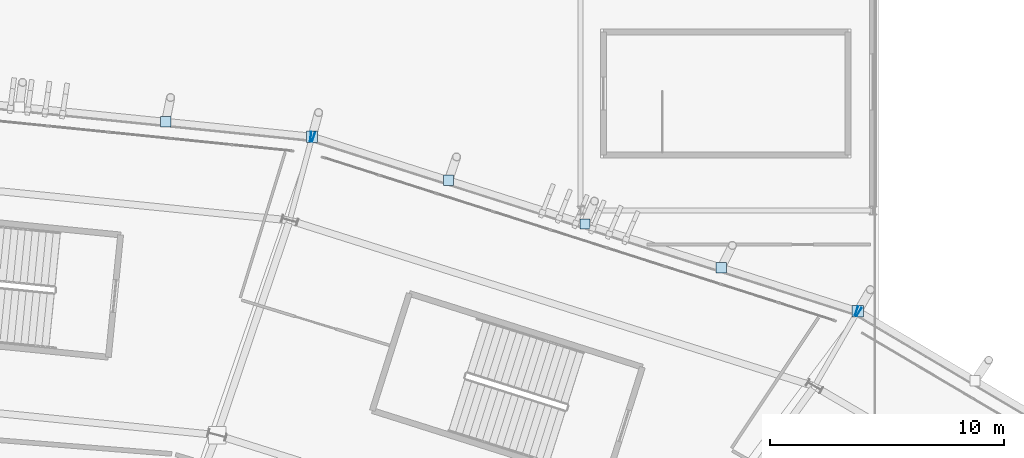
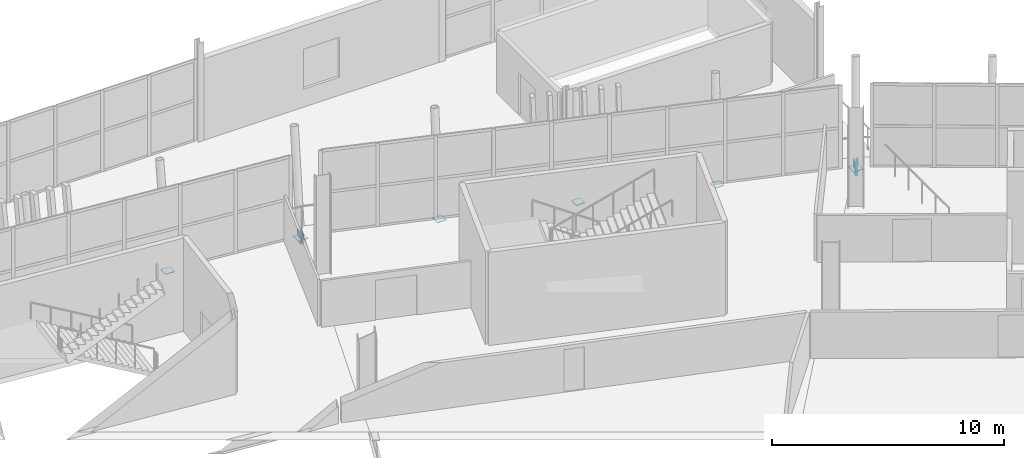
# One storey, part 113 of 168: 10 plates.
"""IFC4 building model written with IfcOpenShell, lengths in metres."""

from ifc_helpers import new_model, si_unit, direction, frame, origin, origin_2d, place, context, subcontext, project, spatial, rectangle, extrude, material, layer, layer_set, type_object, element, save


model = new_model("IFC4")

# Units and contexts
model_context = context("Model", 3, precision=1e-05, world=origin(), true_north=direction((0.0, 1.0)))
body_context = subcontext(model_context, "Body", "Model", "MODEL_VIEW")
ifc_project = project(units=[si_unit("LENGTHUNIT", "METRE"), si_unit("AREAUNIT", "SQUARE_METRE"), si_unit("VOLUMEUNIT", "CUBIC_METRE"), si_unit("PLANEANGLEUNIT", "RADIAN"), si_unit("MASSUNIT", "GRAM", prefix="KILO")], contexts=[model_context])

# Site, building, storey
site_placement = place(None, origin())
site = spatial("IfcSite", under=ifc_project, at=site_placement, CompositionType="ELEMENT")
building_placement = place(site_placement, origin())
building = spatial("IfcBuilding", under=site, at=building_placement, Name="Zlatoyarsky Gate Stadium", CompositionType="ELEMENT")
storey_placement = place(building_placement, frame((0.0, 0.0, 15.60009765625)))
storey = spatial("IfcBuildingStorey", under=building, at=storey_placement, Name="L03", CompositionType="ELEMENT", Elevation=15.60009765625)

# Plates
ifc_material = material(Name="Steel S355", Category="steel")
ifc_layer = layer(ifc_material, 0.02392578125)
ifc_layer_set = layer_set([ifc_layer], Name="Steel S355")
plate_type = type_object("IfcPlateType", Name="STEEL HOLLOW CHORD SPLICE SHEET 24", PredefinedType="SHEET", material=ifc_layer_set)
for number, where, z_axis, x_axis, name in (
    (1, (159.402587890625, 144.663330078125, -0.830078125), (0.0, 0.0, 1.0), (-0.860228734412, 0.50990834911, 0.0), "Hollow end cap ND-SP1 CAP-L03-SPD-03 B"),
    (2, (159.2939453125, 144.71240234375, -0.830078125), (0.0, 0.0, 1.0), (-0.952429647301, 0.304758538753, 0.0), "Hollow end cap ND-SP1 CAP-L03-SPD-04 A"),
    (3, (136.08544921875, 152.138427734375, -0.830078125), (0.0, 0.0, 1.0), (-0.952429647301, 0.304758538753, 0.0), "Hollow end cap ND-SP1 CAP-L03-SPD-04 B"),
):
    element("IfcPlate", number, at=place(storey_placement, frame(where, z_axis=z_axis, x_axis=x_axis)), inside=storey, type_object=plate_type, Name=name, PredefinedType="SHEET", context=body_context, shape_type="SweptSolid", body=[
        extrude(rectangle(XDim=0.02392578125, YDim=0.39990234375, at=origin_2d()), origin(), (0.0, 0.0, 1.0), 0.60009765625),
    ])
plate_1_placement = place(storey_placement, frame((159.35107421875, 144.694091796875, -0.592041015625), z_axis=(0.0, 0.0, 1.0), x_axis=(1.0, 0.0, 0.0)))
element("IfcPlate", 4, at=plate_1_placement, inside=storey, type_object=plate_type, Name="Node closure plate ND-SP1 NCAP-L03-RSTR-04", PredefinedType="SHEET", context=body_context, shape_type="SweptSolid", body=[
    extrude(rectangle(XDim=0.47998046875, YDim=0.47998046875, at=origin_2d()), origin(), (0.0, 0.0, 1.0), 0.02392578125),
])
plate_2_placement = place(storey_placement, frame((135.96875, 152.162841796875, -0.830078125), z_axis=(0.0, 0.0, 1.0), x_axis=(-0.994868281211, 0.101178570066, 0.0)))
element("IfcPlate", 5, at=plate_2_placement, inside=storey, type_object=plate_type, Name="Hollow end cap ND-SP1 CAP-L03-SPD-05 A", PredefinedType="SHEET", context=body_context, shape_type="SweptSolid", body=[
    extrude(rectangle(XDim=0.02392578125, YDim=0.39990234375, at=origin_2d()), origin(), (0.0, 0.0, 1.0), 0.60009765625),
])
plate_3_placement = place(storey_placement, frame((136.0283203125, 152.15673828125, -0.592041015625), z_axis=(0.0, 0.0, 1.0), x_axis=(1.0, 0.0, 0.0)))
element("IfcPlate", 6, at=plate_3_placement, inside=storey, type_object=plate_type, Name="Node closure plate ND-SP1 NCAP-L03-RSTR-05", PredefinedType="SHEET", context=body_context, shape_type="SweptSolid", body=[
    extrude(rectangle(XDim=0.47998046875, YDim=0.47998046875, at=origin_2d()), origin(), (0.0, 0.0, 1.0), 0.02392578125),
])
for number, where, z_axis, x_axis, name in (
    (7, (153.5205078125, 146.559814453125, -0.5419921875), (0.0, 0.0, 1.0), (1.0, 0.0, 0.0), "Node closure plate ND-SP1 NCAP-RIB-04-1-1T"),
    (8, (147.689697265625, 148.42529296875, -0.5419921875), (0.0, 0.0, 1.0), (1.0, 0.0, 0.0), "Node closure plate ND-SP1 NCAP-RIB-04-2-1T"),
    (9, (141.859130859375, 150.291015625, -0.5419921875), (0.0, 0.0, 1.0), (1.0, 0.0, 0.0), "Node closure plate ND-SP1 NCAP-RIB-04-3-1T"),
    (10, (129.771240234375, 152.793212890625, -0.5419921875), (0.0, 0.0, 1.0), (1.0, 0.0, 0.0), "Node closure plate ND-SP1 NCAP-RIB-05-1-1T"),
):
    element("IfcPlate", number, at=place(storey_placement, frame(where, z_axis=z_axis, x_axis=x_axis)), inside=storey, type_object=plate_type, Name=name, PredefinedType="SHEET", context=body_context, shape_type="SweptSolid", body=[
        extrude(rectangle(XDim=0.43994140625, YDim=0.43994140625, at=origin_2d()), origin(), (0.0, 0.0, 1.0), 0.02392578125),
    ])

save(model, "model.ifc")
